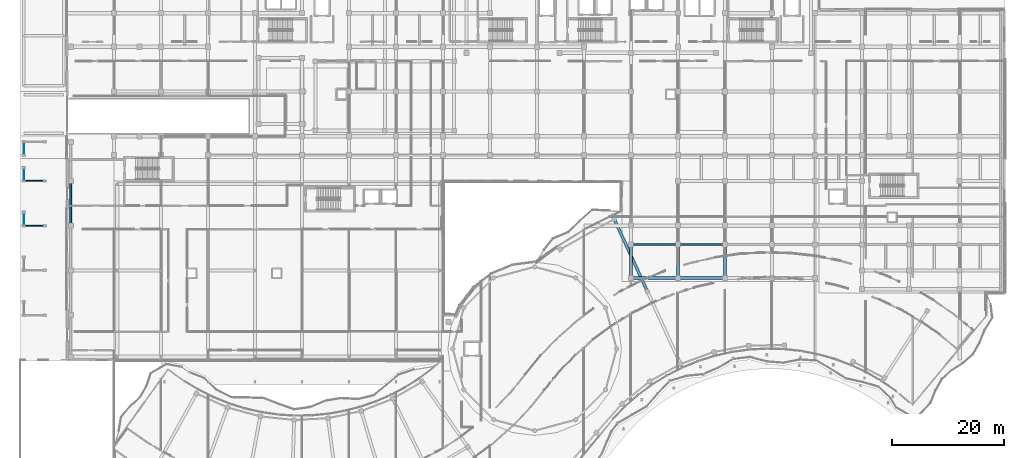
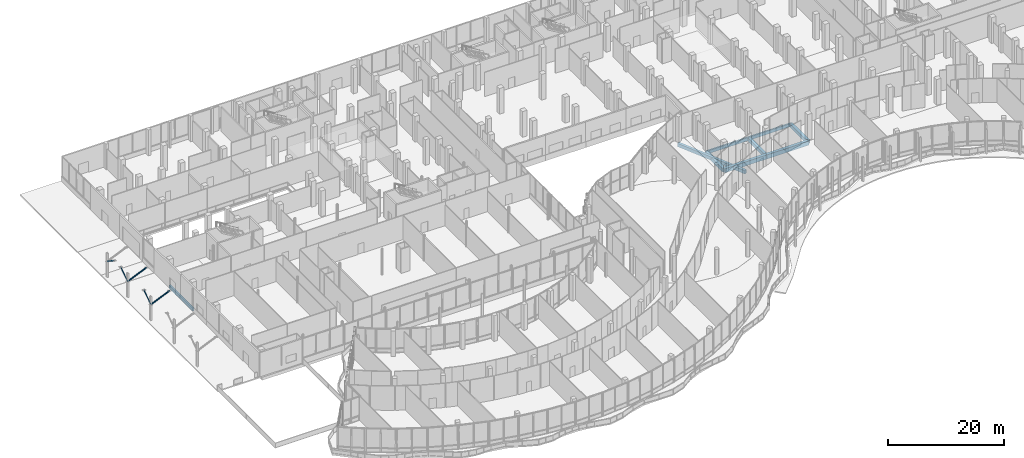
# One storey, part 66 of 158: 9 beams, 5 members.
"""IFC4 building model written with IfcOpenShell, lengths in metres."""

from ifc_helpers import new_model, si_unit, direction, frame, origin, origin_2d, place, context, subcontext, project, spatial, rectangle, hollow_rectangle, hollow_circle, extrude, material, material_profile, profile_set, type_object, element, save


model = new_model("IFC4")

# Units and contexts
model_context = context("Model", 3, precision=1e-05, world=origin(), true_north=direction((0.0, 1.0)))
body_context = subcontext(model_context, "Body", "Model", "MODEL_VIEW")
ifc_project = project(units=[si_unit("LENGTHUNIT", "METRE"), si_unit("AREAUNIT", "SQUARE_METRE"), si_unit("VOLUMEUNIT", "CUBIC_METRE"), si_unit("PLANEANGLEUNIT", "RADIAN"), si_unit("MASSUNIT", "GRAM", prefix="KILO")], contexts=[model_context])

# Site, building, storey
site_placement = place(None, origin())
site = spatial("IfcSite", under=ifc_project, at=site_placement, CompositionType="ELEMENT")
building_placement = place(site_placement, origin())
building = spatial("IfcBuilding", under=site, at=building_placement, Name="Selatvlak General Hospital", CompositionType="ELEMENT")
storey_placement = place(building_placement, origin())
storey = spatial("IfcBuildingStorey", under=building, at=storey_placement, Name="L00", CompositionType="ELEMENT", Elevation=0.0)

# Beams
ifc_material_1 = material(Name="Concrete C40/50", Category="concrete")
ifc_material_profile_1 = material_profile(ifc_material_1, rectangle(XDim=0.60009765625, YDim=0.85009765625, at=origin_2d()), Name="RC-BM 600x850")
ifc_profile_set_1 = profile_set([ifc_material_profile_1], Name="Concrete C40/50")
beam_type_1 = type_object("IfcBeamType", Name="BM-G01", PredefinedType="BEAM", material=ifc_profile_set_1)
beam_1_placement = place(storey_placement, frame((115.199951171875, 66.64990234375, -0.77490234375), z_axis=(1.0, 0.0, 0.0), x_axis=(0.0, 1.0, 0.0)))
element("IfcBeam", 1, at=beam_1_placement, inside=storey, type_object=beam_type_1, Name="Beam BMR-L00-0013", PredefinedType="BEAM", context=body_context, shape_type="SweptSolid", body=[
    extrude(rectangle(XDim=0.60009765625, YDim=0.85009765625, at=origin_2d()), origin(), (0.0, 0.0, 1.0), 8.400146484375),
])
beam_2_placement = place(storey_placement, frame((123.60009765625, 66.64990234375, -0.77490234375), z_axis=(1.0, 0.0, 0.0), x_axis=(0.0, 1.0, 0.0)))
element("IfcBeam", 2, at=beam_2_placement, inside=storey, type_object=beam_type_1, Name="Beam BMR-L00-0014", PredefinedType="BEAM", context=body_context, shape_type="SweptSolid", body=[
    extrude(rectangle(XDim=0.60009765625, YDim=0.85009765625, at=origin_2d()), origin(), (0.0, 0.0, 1.0), 8.39990234375),
])
ifc_material_profile_2 = material_profile(ifc_material_1, rectangle(XDim=0.550048828125, YDim=0.75, at=origin_2d()), Name="RC-BM 550x750")
ifc_profile_set_2 = profile_set([ifc_material_profile_2], Name="Concrete C40/50")
beam_type_2 = type_object("IfcBeamType", Name="BM-G02", PredefinedType="BEAM", material=ifc_profile_set_2)
for number, where, z_axis, x_axis, name in (
    (3, (115.199951171875, 66.64990234375, -0.72509765625), (0.0, 1.0, 0.0), (-1.0, 0.0, 0.0), "Beam BMR-L00-0234"),
    (4, (123.60009765625, 66.64990234375, -0.72509765625), (0.0, 1.0, 0.0), (-1.0, 0.0, 0.0), "Beam BMR-L00-0241"),
    (5, (132.0, 66.64990234375, -0.72509765625), (0.0, 1.0, 0.0), (-1.0, 0.0, 0.0), "Beam BMR-L00-0250"),
):
    element("IfcBeam", number, at=place(storey_placement, frame(where, z_axis=z_axis, x_axis=x_axis)), inside=storey, type_object=beam_type_2, Name=name, PredefinedType="BEAM", context=body_context, shape_type="SweptSolid", body=[
        extrude(rectangle(XDim=0.550048828125, YDim=0.75, at=origin_2d()), origin(), (0.0, 0.0, 1.0), 6.0),
    ])
ifc_material_profile_3 = material_profile(ifc_material_1, rectangle(XDim=0.5, YDim=0.699951171875, at=origin_2d()), Name="RC-BM 500x700")
ifc_profile_set_3 = profile_set([ifc_material_profile_3], Name="Concrete C40/50")
beam_type_3 = type_object("IfcBeamType", Name="BM-G03", PredefinedType="BEAM", material=ifc_profile_set_3)
beam_3_placement = place(storey_placement, frame((112.221923828125, 77.195068359375, -0.699951171875), z_axis=(0.416220472097, -0.909263723354, 0.0), x_axis=(0.909263723354, 0.416220472097, 0.0)))
element("IfcBeam", 6, at=beam_3_placement, inside=storey, type_object=beam_type_3, Name="Beam BMR-L00-0351", PredefinedType="BEAM", context=body_context, shape_type="SweptSolid", body=[
    extrude(rectangle(XDim=0.5, YDim=0.699951171875, at=origin_2d()), origin(), (0.0, 0.0, 1.0), 14.25),
])
ifc_material_profile_4 = material_profile(ifc_material_1, rectangle(XDim=0.300048828125, YDim=0.64990234375, at=origin_2d()), Name="RC-SP 300x650")
ifc_profile_set_4 = profile_set([ifc_material_profile_4], Name="Concrete C40/50")
beam_type_4 = type_object("IfcBeamType", Name="BM-SP1", PredefinedType="SPANDREL", material=ifc_profile_set_4)
beam_4_placement = place(storey_placement, frame((115.199951171875, 72.64990234375, -0.675048828125), z_axis=(1.0, 0.0, 0.0), x_axis=(0.0, 1.0, 0.0)))
element("IfcBeam", 7, at=beam_4_placement, inside=storey, type_object=beam_type_4, Name="Beam BMR-L00-0026", PredefinedType="SPANDREL", context=body_context, shape_type="SweptSolid", body=[
    extrude(rectangle(XDim=0.300048828125, YDim=0.64990234375, at=origin_2d()), origin(), (0.0, 0.0, 1.0), 8.400146484375),
])
beam_5_placement = place(storey_placement, frame((123.60009765625, 72.64990234375, -0.675048828125), z_axis=(1.0, 0.0, 0.0), x_axis=(0.0, 1.0, 0.0)))
element("IfcBeam", 8, at=beam_5_placement, inside=storey, type_object=beam_type_4, Name="Beam BMR-L00-0027", PredefinedType="SPANDREL", context=body_context, shape_type="SweptSolid", body=[
    extrude(rectangle(XDim=0.300048828125, YDim=0.64990234375, at=origin_2d()), origin(), (0.0, 0.0, 1.0), 8.39990234375),
])
beam_6_placement = place(storey_placement, frame((15.050048828125, 76.0, -0.675048828125), z_axis=(0.0, 1.0, 0.0), x_axis=(-1.0, 0.0, 0.0)))
element("IfcBeam", 9, at=beam_6_placement, inside=storey, type_object=beam_type_4, Name="Beam BMR-L00-0161", PredefinedType="SPANDREL", context=body_context, shape_type="SweptSolid", body=[
    extrude(rectangle(XDim=0.300048828125, YDim=0.64990234375, at=origin_2d()), origin(), (0.0, 0.0, 1.0), 8.0),
])

# Members
ifc_material_2 = material(Name="Steel S355", Category="steel")
ifc_material_profile_5 = material_profile(ifc_material_2, hollow_circle(Radius=0.136474609375, WallThickness=0.010009765625, at=origin_2d()), Name="CHS 273.0x10")
ifc_profile_set_5 = profile_set([ifc_material_profile_5], Name="Steel S355")
member_type_1 = type_object("IfcMemberType", Name="MEM-ST1", PredefinedType="STRUT", material=ifc_profile_set_5)
for number, where, z_axis, x_axis, name in (
    (10, (6.64990234375, 76.0, 3.300048828125), (0.918012909618, 0.0, 0.396550498393), (0.0, 1.0, 0.0), "Ambulance canopy raking steel strut 3A"),
    (11, (6.64990234375, 84.0, 3.300048828125), (0.918012909618, 0.0, 0.396550498393), (0.0, 1.0, 0.0), "Ambulance canopy raking steel strut 4A"),
):
    element("IfcMember", number, at=place(storey_placement, frame(where, z_axis=z_axis, x_axis=x_axis)), inside=storey, type_object=member_type_1, Name=name, PredefinedType="STRUT", context=body_context, shape_type="SweptSolid", body=[
        extrude(hollow_circle(Radius=0.136474609375, WallThickness=0.010009765625, at=origin_2d()), origin(), (0.0, 0.0, 1.0), 4.0849609375),
    ])
ifc_material_profile_6 = material_profile(ifc_material_2, hollow_rectangle(XDim=0.10009765625, YDim=0.199951171875, WallThickness=0.008056640625, at=origin_2d()), Name="RHS 200x100x8")
ifc_profile_set_6 = profile_set([ifc_material_profile_6], Name="Steel S355")
member_type_2 = type_object("IfcMemberType", Name="MEM-ST2", PredefinedType="STRUT", material=ifc_profile_set_6)
for number, where, z_axis, x_axis, name in (
    (12, (6.64990234375, 76.0, 3.300048828125), (0.0, 0.828858449047, 0.559458373289), (-1.0, 0.0, 0.0), "Ambulance canopy longitudinal knee strut 3B"),
    (13, (6.64990234375, 84.0, 3.300048828125), (0.0, 0.828858449047, 0.559458373289), (-1.0, 0.0, 0.0), "Ambulance canopy longitudinal knee strut 4B"),
    (14, (6.64990234375, 91.0, 3.300048828125), (0.0, -0.828858449047, 0.559458373289), (1.0, 0.0, 0.0), "Ambulance canopy longitudinal knee strut 5B"),
):
    element("IfcMember", number, at=place(storey_placement, frame(where, z_axis=z_axis, x_axis=x_axis)), inside=storey, type_object=member_type_2, Name=name, PredefinedType="STRUT", context=body_context, shape_type="SweptSolid", body=[
        extrude(hollow_rectangle(XDim=0.10009765625, YDim=0.199951171875, WallThickness=0.008056640625, at=origin_2d()), origin(), (0.0, 0.0, 1.0), 2.8955078125),
    ])

save(model, "model.ifc")
